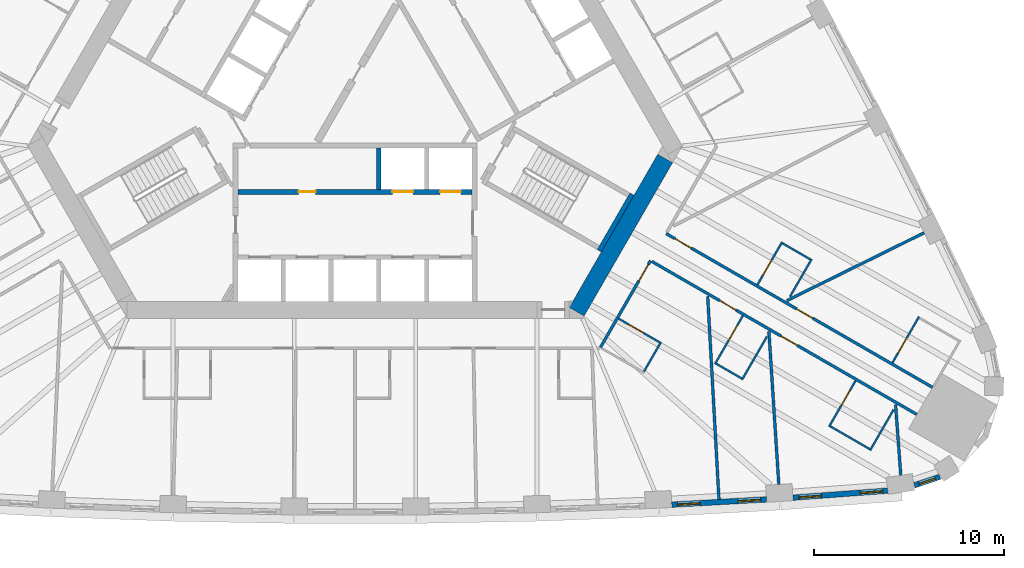
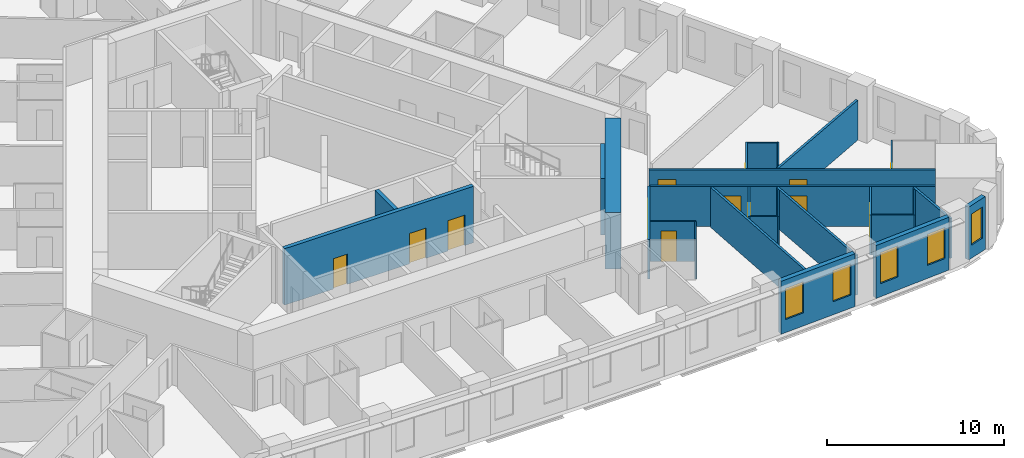
# One storey, part 7 of 13: 26 walls, 13 doors, 5 windows, 18 openings.
"""IFC4 building model written with IfcOpenShell, lengths in metres."""

from ifc_helpers import new_model, si_unit, direction, frame, frame_2d, origin, place, context, subcontext, project, spatial, rectangle, extrude, material, layer, layer_set, type_object, element, fill, save


model = new_model("IFC4")

# Units and contexts
model_context = context("Model", 3, precision=1e-05, world=origin(), true_north=direction((0.0, 1.0)))
body_context = subcontext(model_context, "Body", "Model", "MODEL_VIEW")
ifc_project = project(units=[si_unit("LENGTHUNIT", "METRE"), si_unit("AREAUNIT", "SQUARE_METRE"), si_unit("VOLUMEUNIT", "CUBIC_METRE"), si_unit("PLANEANGLEUNIT", "RADIAN"), si_unit("MASSUNIT", "GRAM", prefix="KILO")], contexts=[model_context])

# Site, building, storey
site_placement = place(None, origin())
site = spatial("IfcSite", under=ifc_project, at=site_placement, CompositionType="ELEMENT")
building_placement = place(site_placement, origin())
building = spatial("IfcBuilding", under=site, at=building_placement, Name="Mestral Congress Tower", CompositionType="ELEMENT")
storey_placement = place(building_placement, frame((0.0, 0.0, 31.5)))
storey = spatial("IfcBuildingStorey", under=building, at=storey_placement, Name="L06", CompositionType="ELEMENT", Elevation=31.5)

# Wall
ifc_material_1 = material(Name="Concrete C60/75", Category="concrete")
ifc_layer_1 = layer(ifc_material_1, 0.89990234375)
ifc_layer_set_1 = layer_set([ifc_layer_1], Name="Concrete C60/75")
wall_type_1 = type_object("IfcWallType", Name="Core wall RC 900", PredefinedType="SOLIDWALL", material=ifc_layer_set_1)
wall_1_placement = place(storey_placement, frame((11.69482421875, -12.643798828125, 0.0), z_axis=(0.0, 0.0, 1.0), x_axis=(0.500010229568, 0.86601949766, 0.0)))
element("IfcWall", 1, at=wall_1_placement, inside=storey, type_object=wall_type_1, Name="L06 core wall", PredefinedType="SOLIDWALL", context=body_context, shape_type="SweptSolid", body=[
    extrude(rectangle(XDim=9.326416015625, YDim=0.89990234375, at=frame_2d((4.6630859375, 0.0))), origin(), (0.0, 0.0, 1.0), 3.89990234375),
])

# Wall, openings, windows
ifc_material_2 = material(Name="Precast concrete C40/50 with limestone facing", Category="masonry")
ifc_layer_2 = layer(ifc_material_2, 0.2900390625)
ifc_layer_set_2 = layer_set([ifc_layer_2], Name="Precast concrete C40/50 with limestone facing")
wall_type_2 = type_object("IfcWallType", Name="Facade stone wall 290", PredefinedType="SOLIDWALL", material=ifc_layer_set_2)
wall_2_placement = place(storey_placement, frame((16.7109375, -22.823974609375, 0.0), z_axis=(0.0, 0.0, 1.0), x_axis=(0.998464708705, 0.055391564976, 0.0)))
wall_2 = element("IfcWall", 2, at=wall_2_placement, inside=storey, type_object=wall_type_2, Name="Facade wall F0-07", PredefinedType="SOLIDWALL", context=body_context, shape_type="SweptSolid", body=[
    extrude(rectangle(XDim=4.998046875, YDim=0.2900390625, at=frame_2d((2.4990234375, 0.0))), origin(), (0.0, 0.0, 1.0), 3.64990234375),
])
opening_1_placement = place(wall_2_placement, frame((0.297119140625, 0.0, 0.89990234375)))
opening_1 = element("IfcOpeningElement", 3, at=opening_1_placement, cuts=wall_2, Name="Opening W1", PredefinedType="OPENING", context=body_context, shape_type="SweptSolid", body=[
    extrude(rectangle(XDim=1.199951171875, YDim=2.14990234375, at=frame_2d((0.60009765625, 1.074951171875))), frame((0.0, 0.155029296875, 0.0), z_axis=(0.0, -1.0, 0.0), x_axis=(1.0, 0.0, 0.0)), (0.0, 0.0, 1.0), 0.31005859375),
])
opening_2_placement = place(wall_2_placement, frame((3.501220703125, 0.0, 0.89990234375)))
opening_2 = element("IfcOpeningElement", 4, at=opening_2_placement, cuts=wall_2, Name="Opening W1", PredefinedType="OPENING", context=body_context, shape_type="SweptSolid", body=[
    extrude(rectangle(XDim=1.199951171875, YDim=2.14990234375, at=frame_2d((0.60009765625, 1.074951171875))), frame((0.0, 0.155029296875, 0.0), z_axis=(0.0, -1.0, 0.0), x_axis=(1.0, 0.0, 0.0)), (0.0, 0.0, 1.0), 0.31005859375),
])
ifc_material_3 = material(Name="Clear low-emissivity double glazing", Category="glass")
window_type_1 = type_object("IfcWindowType", Name="Facade punched window 1200 x 2150 sill 900", PartitioningType="DOUBLE_PANEL_VERTICAL", PredefinedType="WINDOW", material=ifc_material_3)
window_1_placement = place(opening_1_placement, origin())
window_1 = element("IfcWindow", 5, at=window_1_placement, inside=storey, type_object=window_type_1, Name="Window F0-07a", OverallHeight=2.14990234375, OverallWidth=1.199951171875, PartitioningType="DOUBLE_PANEL_VERTICAL", PredefinedType="WINDOW", context=body_context, shape_type="SweptSolid", body=[
    extrude(rectangle(XDim=1.199951171875, YDim=2.14990234375, at=frame_2d((0.60009765625, 1.074951171875))), frame((0.0, 0.01513671875, 0.0), z_axis=(0.0, -1.0, 0.0), x_axis=(1.0, 0.0, 0.0)), (0.0, 0.0, 1.0), 0.06005859375),
])
fill(opening_1, window_1)
window_2_placement = place(opening_2_placement, origin())
window_2 = element("IfcWindow", 6, at=window_2_placement, inside=storey, type_object=window_type_1, Name="Window F0-07b", OverallHeight=2.14990234375, OverallWidth=1.199951171875, PartitioningType="DOUBLE_PANEL_VERTICAL", PredefinedType="WINDOW", context=body_context, shape_type="SweptSolid", body=[
    extrude(rectangle(XDim=1.199951171875, YDim=2.14990234375, at=frame_2d((0.60009765625, 1.074951171875))), frame((0.0, 0.01513671875, 0.0), z_axis=(0.0, -1.0, 0.0), x_axis=(1.0, 0.0, 0.0)), (0.0, 0.0, 1.0), 0.06005859375),
])
fill(opening_2, window_2)

wall_3_placement = place(storey_placement, frame((23.10595703125, -22.4560546875, 0.0), z_axis=(0.0, 0.0, 1.0), x_axis=(0.997266290399, 0.073891447643, 0.0)))
wall_3 = element("IfcWall", 7, at=wall_3_placement, inside=storey, type_object=wall_type_2, Name="Facade wall F0-08", PredefinedType="SOLIDWALL", context=body_context, shape_type="SweptSolid", body=[
    extrude(rectangle(XDim=5.005615234375, YDim=0.2900390625, at=frame_2d((2.5029296875, 0.0))), origin(), (0.0, 0.0, 1.0), 3.64990234375),
])
opening_3_placement = place(wall_3_placement, frame((0.31005859375, 0.0, 0.89990234375)))
opening_3 = element("IfcOpeningElement", 8, at=opening_3_placement, cuts=wall_3, Name="Opening W1", PredefinedType="OPENING", context=body_context, shape_type="SweptSolid", body=[
    extrude(rectangle(XDim=1.199951171875, YDim=2.14990234375, at=frame_2d((0.60009765625, 1.074951171875))), frame((0.0, 0.155029296875, 0.0), z_axis=(0.0, -1.0, 0.0), x_axis=(1.0, 0.0, 0.0)), (0.0, 0.0, 1.0), 0.31005859375),
])
opening_4_placement = place(wall_3_placement, frame((3.540283203125, 0.0, 0.89990234375)))
opening_4 = element("IfcOpeningElement", 9, at=opening_4_placement, cuts=wall_3, Name="Opening W1", PredefinedType="OPENING", context=body_context, shape_type="SweptSolid", body=[
    extrude(rectangle(XDim=1.199951171875, YDim=2.14990234375, at=frame_2d((0.60009765625, 1.074951171875))), frame((0.0, 0.155029296875, 0.0), z_axis=(0.0, -1.0, 0.0), x_axis=(1.0, 0.0, 0.0)), (0.0, 0.0, 1.0), 0.31005859375),
])
window_3_placement = place(opening_3_placement, origin())
window_3 = element("IfcWindow", 10, at=window_3_placement, inside=storey, type_object=window_type_1, Name="Window F0-08a", OverallHeight=2.14990234375, OverallWidth=1.199951171875, PartitioningType="DOUBLE_PANEL_VERTICAL", PredefinedType="WINDOW", context=body_context, shape_type="SweptSolid", body=[
    extrude(rectangle(XDim=1.199951171875, YDim=2.14990234375, at=frame_2d((0.60009765625, 1.074951171875))), frame((0.0, 0.01513671875, 0.0), z_axis=(0.0, -1.0, 0.0), x_axis=(1.0, 0.0, 0.0)), (0.0, 0.0, 1.0), 0.06005859375),
])
fill(opening_3, window_3)
window_4_placement = place(opening_4_placement, origin())
window_4 = element("IfcWindow", 11, at=window_4_placement, inside=storey, type_object=window_type_1, Name="Window F0-08b", OverallHeight=2.14990234375, OverallWidth=1.199951171875, PartitioningType="DOUBLE_PANEL_VERTICAL", PredefinedType="WINDOW", context=body_context, shape_type="SweptSolid", body=[
    extrude(rectangle(XDim=1.199951171875, YDim=2.14990234375, at=frame_2d((0.60009765625, 1.074951171875))), frame((0.0, 0.01513671875, 0.0), z_axis=(0.0, -1.0, 0.0), x_axis=(1.0, 0.0, 0.0)), (0.0, 0.0, 1.0), 0.06005859375),
])
fill(opening_4, window_4)

# Wall, opening, window
wall_4_placement = place(storey_placement, frame((29.51171875, -21.80224609375, 0.0), z_axis=(0.0, 0.0, 1.0), x_axis=(0.947903891592, 0.318556450734, 0.0)))
wall_4 = element("IfcWall", 12, at=wall_4_placement, inside=storey, type_object=wall_type_2, Name="Facade wall K0-0", PredefinedType="SOLIDWALL", context=body_context, shape_type="SweptSolid", body=[
    extrude(rectangle(XDim=1.414794921875, YDim=0.2900390625, at=frame_2d((0.70751953125, 0.0))), origin(), (0.0, 0.0, 1.0), 3.64990234375),
])
opening_5_placement = place(wall_4_placement, frame((0.25732421875, 0.0, 0.89990234375)))
opening_5 = element("IfcOpeningElement", 13, at=opening_5_placement, cuts=wall_4, Name="Opening W3", PredefinedType="OPENING", context=body_context, shape_type="SweptSolid", body=[
    extrude(rectangle(XDim=0.89990234375, YDim=2.14990234375, at=frame_2d((0.449951171875, 1.074951171875))), frame((0.0, 0.155029296875, 0.0), z_axis=(0.0, -1.0, 0.0), x_axis=(1.0, 0.0, 0.0)), (0.0, 0.0, 1.0), 0.31005859375),
])
window_type_2 = type_object("IfcWindowType", Name="Facade punched window 900 x 2150 sill 900", PartitioningType="SINGLE_PANEL", PredefinedType="WINDOW", material=ifc_material_3)
window_5_placement = place(opening_5_placement, origin())
window_5 = element("IfcWindow", 14, at=window_5_placement, inside=storey, type_object=window_type_2, Name="Window K0-0", OverallHeight=2.14990234375, OverallWidth=0.89990234375, PartitioningType="SINGLE_PANEL", PredefinedType="WINDOW", context=body_context, shape_type="SweptSolid", body=[
    extrude(rectangle(XDim=0.89990234375, YDim=2.14990234375, at=frame_2d((0.449951171875, 1.074951171875))), frame((0.0, 0.01513671875, 0.0), z_axis=(0.0, -1.0, 0.0), x_axis=(1.0, 0.0, 0.0)), (0.0, 0.0, 1.0), 0.06005859375),
])
fill(opening_5, window_5)

# Wall, opening, door
ifc_material_4 = material(Name="Gypsum board partition on metal studs with mineral wool", Category="composite")
ifc_layer_3 = layer(ifc_material_4, 0.10009765625)
ifc_layer_set_3 = layer_set([ifc_layer_3], Name="Gypsum board partition on metal studs with mineral wool")
wall_type_3 = type_object("IfcWallType", Name="Hotel partition wall 100", PredefinedType="PARTITIONING", material=ifc_layer_set_3)
wall_5_placement = place(storey_placement, frame((16.159912109375, -14.310302734375, 0.0), z_axis=(0.0, 0.0, 1.0), x_axis=(-0.866062058628, 0.499936506574, 0.0)))
wall_5 = element("IfcWall", 15, at=wall_5_placement, inside=storey, type_object=wall_type_3, Name="L06-h-pod08a", PredefinedType="PARTITIONING", context=body_context, shape_type="SweptSolid", body=[
    extrude(rectangle(XDim=2.599853515625, YDim=0.10009765625, at=frame_2d((1.2998046875, 0.0))), origin(), (0.0, 0.0, 1.0), 2.75),
])
opening_6_placement = place(wall_5_placement, frame((1.10009765625, 0.0, 0.0)))
opening_6 = element("IfcOpeningElement", 16, at=opening_6_placement, cuts=wall_5, Name="Opening H01-015", PredefinedType="OPENING", context=body_context, shape_type="SweptSolid", body=[
    extrude(rectangle(XDim=0.89990234375, YDim=2.10009765625, at=frame_2d((0.449951171875, 1.050048828125))), frame((0.0, 0.06005859375, 0.0), z_axis=(0.0, -1.0, 0.0), x_axis=(1.0, 0.0, 0.0)), (0.0, 0.0, 1.0), 0.1201171875),
])
ifc_material_5 = material(Name="Timber veneer door leaf in timber frame", Category="wood")
door_type_1 = type_object("IfcDoorType", Name="Bathroom door 900", OperationType="SINGLE_SWING_LEFT", PredefinedType="DOOR", material=ifc_material_5)
door_1_placement = place(opening_6_placement, origin())
door_1 = element("IfcDoor", 17, at=door_1_placement, inside=storey, type_object=door_type_1, Name="L06-h-d015", OperationType="SINGLE_SWING_LEFT", OverallHeight=2.10009765625, OverallWidth=0.89990234375, PredefinedType="DOOR", context=body_context, shape_type="SweptSolid", body=[
    extrude(rectangle(XDim=0.89990234375, YDim=2.10009765625, at=frame_2d((0.449951171875, 1.050048828125))), frame((0.0, 0.02490234375, 0.0), z_axis=(0.0, -1.0, 0.0), x_axis=(1.0, 0.0, 0.0)), (0.0, 0.0, 1.0), 0.050048828125),
])
fill(opening_6, door_1)

# Wall
wall_6_placement = place(storey_placement, frame((16.091552734375, -14.32861328125, 0.0), z_axis=(0.0, 0.0, 1.0), x_axis=(-0.500062241894, -0.865989465428, 0.0)))
element("IfcWall", 18, at=wall_6_placement, inside=storey, type_object=wall_type_3, Name="L06-h-pod08b", PredefinedType="PARTITIONING", context=body_context, shape_type="SweptSolid", body=[
    extrude(rectangle(XDim=1.699951171875, YDim=0.10009765625, at=frame_2d((0.85009765625, 0.0))), origin(), (0.0, 0.0, 1.0), 2.75),
])

# Wall, opening, door
wall_7_placement = place(storey_placement, frame((20.4609375, -12.852294921875, 0.0), z_axis=(0.0, 0.0, 1.0), x_axis=(-0.49997559174, -0.866039495442, 0.0)))
wall_7 = element("IfcWall", 19, at=wall_7_placement, inside=storey, type_object=wall_type_3, Name="L06-h-pod09a", PredefinedType="PARTITIONING", context=body_context, shape_type="SweptSolid", body=[
    extrude(rectangle(XDim=2.949951171875, YDim=0.10009765625, at=frame_2d((1.47509765625, 0.0))), origin(), (0.0, 0.0, 1.0), 2.75),
])
opening_7_placement = place(wall_7_placement, frame((0.60009765625, 0.0, 0.0)))
opening_7 = element("IfcOpeningElement", 20, at=opening_7_placement, cuts=wall_7, Name="Opening H01-017", PredefinedType="OPENING", context=body_context, shape_type="SweptSolid", body=[
    extrude(rectangle(XDim=0.89990234375, YDim=2.10009765625, at=frame_2d((0.449951171875, 1.050048828125))), frame((0.0, 0.06005859375, 0.0), z_axis=(0.0, -1.0, 0.0), x_axis=(1.0, 0.0, 0.0)), (0.0, 0.0, 1.0), 0.1201171875),
])
door_2_placement = place(opening_7_placement, origin())
door_2 = element("IfcDoor", 21, at=door_2_placement, inside=storey, type_object=door_type_1, Name="L06-h-d017", OperationType="SINGLE_SWING_RIGHT", OverallHeight=2.10009765625, OverallWidth=0.89990234375, PredefinedType="DOOR", context=body_context, shape_type="SweptSolid", body=[
    extrude(rectangle(XDim=0.89990234375, YDim=2.10009765625, at=frame_2d((0.449951171875, 1.050048828125))), frame((0.0, 0.02490234375, 0.0), z_axis=(0.0, -1.0, 0.0), x_axis=(1.0, 0.0, 0.0)), (0.0, 0.0, 1.0), 0.050048828125),
])
fill(opening_7, door_2)

# Walls
wall_8_placement = place(storey_placement, frame((19.05419921875, -15.388916015625, 0.0), z_axis=(0.0, 0.0, 1.0), x_axis=(0.866043940782, -0.499967891604, 0.0)))
element("IfcWall", 22, at=wall_8_placement, inside=storey, type_object=wall_type_3, Name="L06-h-pod09b", PredefinedType="PARTITIONING", context=body_context, shape_type="SweptSolid", body=[
    extrude(rectangle(XDim=1.5498046875, YDim=0.10009765625, at=frame_2d((0.77490234375, 0.0))), origin(), (0.0, 0.0, 1.0), 2.75),
])
wall_9_placement = place(storey_placement, frame((21.73486328125, -13.94580078125, 0.0), z_axis=(0.0, 0.0, 1.0), x_axis=(-0.500007957085, -0.86602080971, 0.0)))
element("IfcWall", 23, at=wall_9_placement, inside=storey, type_object=wall_type_3, Name="L06-h-pod09c", PredefinedType="PARTITIONING", context=body_context, shape_type="SweptSolid", body=[
    extrude(rectangle(XDim=2.64013671875, YDim=0.10009765625, at=frame_2d((1.320068359375, 0.0))), origin(), (0.0, 0.0, 1.0), 2.75),
])

# Wall, opening, door
wall_10_placement = place(storey_placement, frame((26.40478515625, -16.2841796875, 0.0), z_axis=(0.0, 0.0, 1.0), x_axis=(-0.49998411664, -0.866034573852, 0.0)))
wall_10 = element("IfcWall", 24, at=wall_10_placement, inside=storey, type_object=wall_type_3, Name="L06-h-pod10a", PredefinedType="PARTITIONING", context=body_context, shape_type="SweptSolid", body=[
    extrude(rectangle(XDim=2.7998046875, YDim=0.10009765625, at=frame_2d((1.39990234375, 0.0))), origin(), (0.0, 0.0, 1.0), 2.75),
])
opening_8_placement = place(wall_10_placement, frame((0.60009765625, 0.0, 0.0)))
opening_8 = element("IfcOpeningElement", 25, at=opening_8_placement, cuts=wall_10, Name="Opening H01-019", PredefinedType="OPENING", context=body_context, shape_type="SweptSolid", body=[
    extrude(rectangle(XDim=0.89990234375, YDim=2.10009765625, at=frame_2d((0.449951171875, 1.050048828125))), frame((0.0, 0.06005859375, 0.0), z_axis=(0.0, -1.0, 0.0), x_axis=(1.0, 0.0, 0.0)), (0.0, 0.0, 1.0), 0.1201171875),
])
door_3_placement = place(opening_8_placement, origin())
door_3 = element("IfcDoor", 26, at=door_3_placement, inside=storey, type_object=door_type_1, Name="L06-h-d019", OperationType="SINGLE_SWING_LEFT", OverallHeight=2.10009765625, OverallWidth=0.89990234375, PredefinedType="DOOR", context=body_context, shape_type="SweptSolid", body=[
    extrude(rectangle(XDim=0.89990234375, YDim=2.10009765625, at=frame_2d((0.449951171875, 1.050048828125))), frame((0.0, 0.02490234375, 0.0), z_axis=(0.0, -1.0, 0.0), x_axis=(1.0, 0.0, 0.0)), (0.0, 0.0, 1.0), 0.050048828125),
])
fill(opening_8, door_3)

# Walls
wall_11_placement = place(storey_placement, frame((25.0732421875, -18.690673828125, 0.0), z_axis=(0.0, 0.0, 1.0), x_axis=(0.866024647952, -0.500001309137, 0.0)))
element("IfcWall", 27, at=wall_11_placement, inside=storey, type_object=wall_type_3, Name="L06-h-pod10b", PredefinedType="PARTITIONING", context=body_context, shape_type="SweptSolid", body=[
    extrude(rectangle(XDim=2.39990234375, YDim=0.10009765625, at=frame_2d((1.199951171875, 0.0))), origin(), (0.0, 0.0, 1.0), 2.75),
])
wall_12_placement = place(storey_placement, frame((28.414794921875, -17.802490234375, 0.0), z_axis=(0.0, 0.0, 1.0), x_axis=(-0.499945955465, -0.866056604163, 0.0)))
element("IfcWall", 28, at=wall_12_placement, inside=storey, type_object=wall_type_3, Name="L06-h-pod10c", PredefinedType="PARTITIONING", context=body_context, shape_type="SweptSolid", body=[
    extrude(rectangle(XDim=2.489990234375, YDim=0.10009765625, at=frame_2d((1.2451171875, 0.0))), origin(), (0.0, 0.0, 1.0), 2.75),
])

# Wall, opening, door
wall_13_placement = place(storey_placement, frame((29.75244140625, -12.9052734375, 0.0), z_axis=(0.0, 0.0, 1.0), x_axis=(-0.500049511043, -0.865996816683, 0.0)))
wall_13 = element("IfcWall", 29, at=wall_13_placement, inside=storey, type_object=wall_type_3, Name="L06-h-pod11a", PredefinedType="PARTITIONING", context=body_context, shape_type="SweptSolid", body=[
    extrude(rectangle(XDim=2.800048828125, YDim=0.10009765625, at=frame_2d((1.39990234375, 0.0))), origin(), (0.0, 0.0, 1.0), 2.75),
])
opening_9_placement = place(wall_13_placement, frame((1.300048828125, 0.0, 0.0)))
opening_9 = element("IfcOpeningElement", 30, at=opening_9_placement, cuts=wall_13, Name="Opening H01-021", PredefinedType="OPENING", context=body_context, shape_type="SweptSolid", body=[
    extrude(rectangle(XDim=0.89990234375, YDim=2.10009765625, at=frame_2d((0.449951171875, 1.050048828125))), frame((0.0, 0.06005859375, 0.0), z_axis=(0.0, -1.0, 0.0), x_axis=(1.0, 0.0, 0.0)), (0.0, 0.0, 1.0), 0.1201171875),
])
door_4_placement = place(opening_9_placement, origin())
door_4 = element("IfcDoor", 31, at=door_4_placement, inside=storey, type_object=door_type_1, Name="L06-h-d021", OperationType="SINGLE_SWING_LEFT", OverallHeight=2.10009765625, OverallWidth=0.89990234375, PredefinedType="DOOR", context=body_context, shape_type="SweptSolid", body=[
    extrude(rectangle(XDim=0.89990234375, YDim=2.10009765625, at=frame_2d((0.449951171875, 1.050048828125))), frame((0.0, 0.02490234375, 0.0), z_axis=(0.0, -1.0, 0.0), x_axis=(1.0, 0.0, 0.0)), (0.0, 0.0, 1.0), 0.050048828125),
])
fill(opening_9, door_4)

wall_14_placement = place(storey_placement, frame((22.5302734375, -8.96630859375, 0.0), z_axis=(0.0, 0.0, 1.0), x_axis=(-0.500006934395, -0.866021400173, 0.0)))
wall_14 = element("IfcWall", 32, at=wall_14_placement, inside=storey, type_object=wall_type_3, Name="L06-h-pod12a", PredefinedType="PARTITIONING", context=body_context, shape_type="SweptSolid", body=[
    extrude(rectangle(XDim=2.60009765625, YDim=0.10009765625, at=frame_2d((1.300048828125, 0.0))), origin(), (0.0, 0.0, 1.0), 2.75),
])
opening_10_placement = place(wall_14_placement, frame((1.10009765625, 0.0, 0.0)))
opening_10 = element("IfcOpeningElement", 33, at=opening_10_placement, cuts=wall_14, Name="Opening H01-023", PredefinedType="OPENING", context=body_context, shape_type="SweptSolid", body=[
    extrude(rectangle(XDim=0.89990234375, YDim=2.10009765625, at=frame_2d((0.449951171875, 1.050048828125))), frame((0.0, 0.06005859375, 0.0), z_axis=(0.0, -1.0, 0.0), x_axis=(1.0, 0.0, 0.0)), (0.0, 0.0, 1.0), 0.1201171875),
])
door_5_placement = place(opening_10_placement, origin())
door_5 = element("IfcDoor", 34, at=door_5_placement, inside=storey, type_object=door_type_1, Name="L06-h-d023", OperationType="SINGLE_SWING_RIGHT", OverallHeight=2.10009765625, OverallWidth=0.89990234375, PredefinedType="DOOR", context=body_context, shape_type="SweptSolid", body=[
    extrude(rectangle(XDim=0.89990234375, YDim=2.10009765625, at=frame_2d((0.449951171875, 1.050048828125))), frame((0.0, 0.02490234375, 0.0), z_axis=(0.0, -1.0, 0.0), x_axis=(1.0, 0.0, 0.0)), (0.0, 0.0, 1.0), 0.050048828125),
])
fill(opening_10, door_5)

# Walls
wall_15_placement = place(storey_placement, frame((22.548583984375, -9.03466796875, 0.0), z_axis=(0.0, 0.0, 1.0), x_axis=(0.86605165483, -0.499954529098, 0.0)))
element("IfcWall", 35, at=wall_15_placement, inside=storey, type_object=wall_type_3, Name="L06-h-pod12b", PredefinedType="PARTITIONING", context=body_context, shape_type="SweptSolid", body=[
    extrude(rectangle(XDim=1.699951171875, YDim=0.10009765625, at=frame_2d((0.85009765625, 0.0))), origin(), (0.0, 0.0, 1.0), 2.75),
])
wall_16_placement = place(storey_placement, frame((22.944091796875, -11.849609375, 0.0), z_axis=(0.0, 0.0, 1.0), x_axis=(0.499968531483, 0.866043571379, 0.0)))
element("IfcWall", 36, at=wall_16_placement, inside=storey, type_object=wall_type_3, Name="L06-h-pod12c", PredefinedType="PARTITIONING", context=body_context, shape_type="SweptSolid", body=[
    extrude(rectangle(XDim=2.290283203125, YDim=0.10009765625, at=frame_2d((1.14501953125, 0.0))), origin(), (0.0, 0.0, 1.0), 2.75),
])

# Wall, openings, doors
ifc_layer_4 = layer(ifc_material_4, 0.14990234375)
ifc_layer_set_4 = layer_set([ifc_layer_4], Name="Gypsum board partition on metal studs with mineral wool")
wall_type_4 = type_object("IfcWallType", Name="Hotel partition wall 150", PredefinedType="PARTITIONING", material=ifc_layer_set_4)
wall_17_placement = place(storey_placement, frame((16.412353515625, -8.52294921875, 0.0), z_axis=(0.0, 0.0, 1.0), x_axis=(0.866022197818, -0.500005552856, 0.0)))
wall_17 = element("IfcWall", 37, at=wall_17_placement, inside=storey, type_object=wall_type_4, Name="L06-h-cw01", PredefinedType="PARTITIONING", context=body_context, shape_type="SweptSolid", body=[
    extrude(rectangle(XDim=16.223876953125, YDim=0.14990234375, at=frame_2d((8.11181640625, 0.0))), origin(), (0.0, 0.0, 1.0), 2.75),
])
opening_11_placement = place(wall_17_placement, frame((7.94921875, 0.0, 0.0)))
opening_11 = element("IfcOpeningElement", 38, at=opening_11_placement, cuts=wall_17, Name="Opening H01-020", PredefinedType="OPENING", context=body_context, shape_type="SweptSolid", body=[
    extrude(rectangle(XDim=1.0, YDim=2.10009765625, at=frame_2d((0.5, 1.050048828125))), frame((0.0, 0.0849609375, 0.0), z_axis=(0.0, -1.0, 0.0), x_axis=(1.0, 0.0, 0.0)), (0.0, 0.0, 1.0), 0.169921875),
])
opening_12_placement = place(wall_17_placement, frame((0.526123046875, 0.0, 0.0)))
opening_12 = element("IfcOpeningElement", 39, at=opening_12_placement, cuts=wall_17, Name="Opening H01-022", PredefinedType="OPENING", context=body_context, shape_type="SweptSolid", body=[
    extrude(rectangle(XDim=1.0, YDim=2.10009765625, at=frame_2d((0.5, 1.050048828125))), frame((0.0, 0.0849609375, 0.0), z_axis=(0.0, -1.0, 0.0), x_axis=(1.0, 0.0, 0.0)), (0.0, 0.0, 1.0), 0.169921875),
])
ifc_material_6 = material(Name="Timber veneer door leaf in metal frame", Category="wood")
door_type_2 = type_object("IfcDoorType", Name="Guest room entrance door 1000", OperationType="SINGLE_SWING_LEFT", PredefinedType="DOOR", material=ifc_material_6)
door_6_placement = place(opening_11_placement, origin())
door_6 = element("IfcDoor", 40, at=door_6_placement, inside=storey, type_object=door_type_2, Name="L06-h-d020", OperationType="SINGLE_SWING_LEFT", OverallHeight=2.10009765625, OverallWidth=1.0, PredefinedType="DOOR", context=body_context, shape_type="SweptSolid", body=[
    extrude(rectangle(XDim=1.0, YDim=2.10009765625, at=frame_2d((0.5, 1.050048828125))), frame((0.0, 0.02490234375, 0.0), z_axis=(0.0, -1.0, 0.0), x_axis=(1.0, 0.0, 0.0)), (0.0, 0.0, 1.0), 0.050048828125),
])
fill(opening_11, door_6)
door_7_placement = place(opening_12_placement, origin())
door_7 = element("IfcDoor", 41, at=door_7_placement, inside=storey, type_object=door_type_2, Name="L06-h-d022", OperationType="SINGLE_SWING_LEFT", OverallHeight=2.10009765625, OverallWidth=1.0, PredefinedType="DOOR", context=body_context, shape_type="SweptSolid", body=[
    extrude(rectangle(XDim=1.0, YDim=2.10009765625, at=frame_2d((0.5, 1.050048828125))), frame((0.0, 0.02490234375, 0.0), z_axis=(0.0, -1.0, 0.0), x_axis=(1.0, 0.0, 0.0)), (0.0, 0.0, 1.0), 0.050048828125),
])
fill(opening_12, door_7)

# Wall, opening, door
wall_18_placement = place(storey_placement, frame((15.58740234375, -9.951904296875, 0.0), z_axis=(0.0, 0.0, 1.0), x_axis=(-0.500016618951, -0.866015808616, 0.0)))
wall_18 = element("IfcWall", 42, at=wall_18_placement, inside=storey, type_object=wall_type_4, Name="L06-h-cw14", PredefinedType="PARTITIONING", context=body_context, shape_type="SweptSolid", body=[
    extrude(rectangle(XDim=5.268310546875, YDim=0.14990234375, at=frame_2d((2.63427734375, 0.0))), origin(), (0.0, 0.0, 1.0), 2.75),
])
opening_13_placement = place(wall_18_placement, frame((0.225341796875, 0.0, 0.0)))
opening_13 = element("IfcOpeningElement", 43, at=opening_13_placement, cuts=wall_18, Name="Opening H01-014", PredefinedType="OPENING", context=body_context, shape_type="SweptSolid", body=[
    extrude(rectangle(XDim=1.0, YDim=2.10009765625, at=frame_2d((0.5, 1.050048828125))), frame((0.0, 0.0849609375, 0.0), z_axis=(0.0, -1.0, 0.0), x_axis=(1.0, 0.0, 0.0)), (0.0, 0.0, 1.0), 0.169921875),
])
door_8_placement = place(opening_13_placement, origin())
door_8 = element("IfcDoor", 44, at=door_8_placement, inside=storey, type_object=door_type_2, Name="L06-h-d014", OperationType="SINGLE_SWING_LEFT", OverallHeight=2.10009765625, OverallWidth=1.0, PredefinedType="DOOR", context=body_context, shape_type="SweptSolid", body=[
    extrude(rectangle(XDim=1.0, YDim=2.10009765625, at=frame_2d((0.5, 1.050048828125))), frame((0.0, 0.02490234375, 0.0), z_axis=(0.0, -1.0, 0.0), x_axis=(1.0, 0.0, 0.0)), (0.0, 0.0, 1.0), 0.050048828125),
])
fill(opening_13, door_8)

# Wall, openings, doors
wall_19_placement = place(storey_placement, frame((29.6376953125, -18.06396484375, 0.0), z_axis=(0.0, 0.0, 1.0), x_axis=(-0.866026175601, 0.499998663172, 0.0)))
wall_19 = element("IfcWall", 45, at=wall_19_placement, inside=storey, type_object=wall_type_4, Name="L06-h-cw15", PredefinedType="PARTITIONING", context=body_context, shape_type="SweptSolid", body=[
    extrude(rectangle(XDim=16.14404296875, YDim=0.14990234375, at=frame_2d((8.072021484375, 0.0))), origin(), (0.0, 0.0, 1.0), 2.75),
])
opening_14_placement = place(wall_19_placement, frame((11.003662109375, 0.0, 0.0)))
opening_14 = element("IfcOpeningElement", 46, at=opening_14_placement, cuts=wall_19, Name="Opening H01-016", PredefinedType="OPENING", context=body_context, shape_type="SweptSolid", body=[
    extrude(rectangle(XDim=1.0, YDim=2.10009765625, at=frame_2d((0.5, 1.050048828125))), frame((0.0, 0.0849609375, 0.0), z_axis=(0.0, -1.0, 0.0), x_axis=(1.0, 0.0, 0.0)), (0.0, 0.0, 1.0), 0.169921875),
])
opening_15_placement = place(wall_19_placement, frame((7.275146484375, 0.0, 0.0)))
opening_15 = element("IfcOpeningElement", 47, at=opening_15_placement, cuts=wall_19, Name="Opening H01-018", PredefinedType="OPENING", context=body_context, shape_type="SweptSolid", body=[
    extrude(rectangle(XDim=1.0, YDim=2.10009765625, at=frame_2d((0.5, 1.050048828125))), frame((0.0, 0.0849609375, 0.0), z_axis=(0.0, -1.0, 0.0), x_axis=(1.0, 0.0, 0.0)), (0.0, 0.0, 1.0), 0.169921875),
])
door_9_placement = place(opening_14_placement, origin())
door_9 = element("IfcDoor", 48, at=door_9_placement, inside=storey, type_object=door_type_2, Name="L06-h-d016", OperationType="SINGLE_SWING_RIGHT", OverallHeight=2.10009765625, OverallWidth=1.0, PredefinedType="DOOR", context=body_context, shape_type="SweptSolid", body=[
    extrude(rectangle(XDim=1.0, YDim=2.10009765625, at=frame_2d((0.5, 1.050048828125))), frame((0.0, 0.02490234375, 0.0), z_axis=(0.0, -1.0, 0.0), x_axis=(1.0, 0.0, 0.0)), (0.0, 0.0, 1.0), 0.050048828125),
])
fill(opening_14, door_9)
door_10_placement = place(opening_15_placement, origin())
door_10 = element("IfcDoor", 49, at=door_10_placement, inside=storey, type_object=door_type_2, Name="L06-h-d018", OperationType="SINGLE_SWING_RIGHT", OverallHeight=2.10009765625, OverallWidth=1.0, PredefinedType="DOOR", context=body_context, shape_type="SweptSolid", body=[
    extrude(rectangle(XDim=1.0, YDim=2.10009765625, at=frame_2d((0.5, 1.050048828125))), frame((0.0, 0.02490234375, 0.0), z_axis=(0.0, -1.0, 0.0), x_axis=(1.0, 0.0, 0.0)), (0.0, 0.0, 1.0), 0.050048828125),
])
fill(opening_15, door_10)

# Walls
wall_20_placement = place(storey_placement, frame((19.1982421875, -22.540771484375, 0.0), z_axis=(0.0, 0.0, 1.0), x_axis=(-0.055432210572, 0.99846245299, 0.0)))
element("IfcWall", 50, at=wall_20_placement, inside=storey, type_object=wall_type_4, Name="L06-h-pw27", PredefinedType="PARTITIONING", context=body_context, shape_type="SweptSolid", body=[
    extrude(rectangle(XDim=10.72900390625, YDim=0.14990234375, at=frame_2d((5.364501953125, 0.0))), origin(), (0.0, 0.0, 1.0), 2.75),
])
for number, where, z_axis, x_axis, name in (
    (51, (22.355224609375, -21.75439453125, 0.0), (0.0, 0.0, 1.0), (-0.064639533143, 0.997908678565, 0.0), "L06-h-pw28"),
    (52, (30.017578125, -8.48291015625, 0.0), (0.0, 0.0, 1.0), (-0.896544505264, -0.44295366584, 0.0), "L06-h-pw29"),
):
    element("IfcWall", number, at=place(storey_placement, frame(where, z_axis=z_axis, x_axis=x_axis)), inside=storey, type_object=wall_type_4, Name=name, PredefinedType="PARTITIONING", context=body_context, shape_type="SweptSolid", body=[
        extrude(rectangle(XDim=8.078857421875, YDim=0.14990234375, at=frame_2d((4.03955078125, 0.0))), origin(), (0.0, 0.0, 1.0), 2.75),
    ])
wall_21_placement = place(storey_placement, frame((28.78955078125, -21.272705078125, 0.0), z_axis=(0.0, 0.0, 1.0), x_axis=(-0.07382592098, 0.997271143366, 0.0)))
element("IfcWall", 53, at=wall_21_placement, inside=storey, type_object=wall_type_4, Name="L06-h-pw30", PredefinedType="PARTITIONING", context=body_context, shape_type="SweptSolid", body=[
    extrude(rectangle(XDim=3.733642578125, YDim=0.14990234375, at=frame_2d((1.86669921875, 0.0))), origin(), (0.0, 0.0, 1.0), 2.75),
])
ifc_layer_5 = layer(ifc_material_1, 0.25)
ifc_layer_set_5 = layer_set([ifc_layer_5], Name="Concrete C60/75")
wall_type_5 = type_object("IfcWallType", Name="Shaft wall RC 250", PredefinedType="SOLIDWALL", material=ifc_layer_set_5)
wall_22_placement = place(storey_placement, frame((1.260009765625, -4.0, 0.0), z_axis=(0.0, 0.0, 1.0), x_axis=(0.0, -1.0, 0.0)))
element("IfcWall", 54, at=wall_22_placement, inside=storey, type_object=wall_type_5, Name="L06 core wall", PredefinedType="SOLIDWALL", context=body_context, shape_type="SweptSolid", body=[
    extrude(rectangle(XDim=2.199951171875, YDim=0.25, at=frame_2d((1.10009765625, 0.0))), origin(), (0.0, 0.0, 1.0), 3.89990234375),
])

# Wall, openings, doors
wall_23_placement = place(storey_placement, frame((-6.175048828125, -6.324951171875, 0.0), z_axis=(0.0, 0.0, 1.0), x_axis=(1.0, 0.0, 0.0)))
wall_23 = element("IfcWall", 55, at=wall_23_placement, inside=storey, type_object=wall_type_5, Name="L06 door wall", PredefinedType="SOLIDWALL", context=body_context, shape_type="SweptSolid", body=[
    extrude(rectangle(XDim=12.35009765625, YDim=0.25, at=frame_2d((6.175048828125, 0.0))), origin(), (0.0, 0.0, 1.0), 3.89990234375),
])
opening_16_placement = place(wall_23_placement, frame((3.205078125, 0.0, 0.0)))
opening_16 = element("IfcOpeningElement", 56, at=opening_16_placement, cuts=wall_23, Name="Opening SR-SOB1", PredefinedType="OPENING", context=body_context, shape_type="SweptSolid", body=[
    extrude(rectangle(XDim=0.89990234375, YDim=2.10009765625, at=frame_2d((0.449951171875, 1.050048828125))), frame((0.0, 0.135009765625, 0.0), z_axis=(0.0, -1.0, 0.0), x_axis=(1.0, 0.0, 0.0)), (0.0, 0.0, 1.0), 0.27001953125),
])
opening_17_placement = place(wall_23_placement, frame((8.14501953125, 0.0, 0.0)))
opening_17 = element("IfcOpeningElement", 57, at=opening_17_placement, cuts=wall_23, Name="Opening LD-SOB4", PredefinedType="OPENING", context=body_context, shape_type="SweptSolid", body=[
    extrude(rectangle(XDim=1.10009765625, YDim=2.10009765625, at=frame_2d((0.550048828125, 1.050048828125))), frame((0.0, 0.135009765625, 0.0), z_axis=(0.0, -1.0, 0.0), x_axis=(1.0, 0.0, 0.0)), (0.0, 0.0, 1.0), 0.27001953125),
])
opening_18_placement = place(wall_23_placement, frame((10.6650390625, 0.0, 0.0)))
opening_18 = element("IfcOpeningElement", 58, at=opening_18_placement, cuts=wall_23, Name="Opening LD-SOB5", PredefinedType="OPENING", context=body_context, shape_type="SweptSolid", body=[
    extrude(rectangle(XDim=1.10009765625, YDim=2.10009765625, at=frame_2d((0.550048828125, 1.050048828125))), frame((0.0, 0.135009765625, 0.0), z_axis=(0.0, -1.0, 0.0), x_axis=(1.0, 0.0, 0.0)), (0.0, 0.0, 1.0), 0.27001953125),
])
ifc_material_7 = material(Name="Fire-rated steel door set", Category="steel")
door_type_3 = type_object("IfcDoorType", Name="Core door LD 1100x2100", OperationType="DOUBLE_DOOR_SLIDING", PredefinedType="DOOR", material=ifc_material_7)
door_11_placement = place(opening_17_placement, origin())
door_11 = element("IfcDoor", 59, at=door_11_placement, inside=storey, type_object=door_type_3, Name="Door LD-SOB4", OperationType="DOUBLE_DOOR_SLIDING", OverallHeight=2.10009765625, OverallWidth=1.10009765625, PredefinedType="DOOR", context=body_context, shape_type="SweptSolid", body=[
    extrude(rectangle(XDim=1.10009765625, YDim=2.10009765625, at=frame_2d((0.550048828125, 1.050048828125))), frame((0.0, 0.02490234375, 0.0), z_axis=(0.0, -1.0, 0.0), x_axis=(1.0, 0.0, 0.0)), (0.0, 0.0, 1.0), 0.050048828125),
])
fill(opening_17, door_11)
door_12_placement = place(opening_18_placement, origin())
door_12 = element("IfcDoor", 60, at=door_12_placement, inside=storey, type_object=door_type_3, Name="Door LD-SOB5", OperationType="DOUBLE_DOOR_SLIDING", OverallHeight=2.10009765625, OverallWidth=1.10009765625, PredefinedType="DOOR", context=body_context, shape_type="SweptSolid", body=[
    extrude(rectangle(XDim=1.10009765625, YDim=2.10009765625, at=frame_2d((0.550048828125, 1.050048828125))), frame((0.0, 0.02490234375, 0.0), z_axis=(0.0, -1.0, 0.0), x_axis=(1.0, 0.0, 0.0)), (0.0, 0.0, 1.0), 0.050048828125),
])
fill(opening_18, door_12)
door_type_4 = type_object("IfcDoorType", Name="Core door SR 900x2100", OperationType="SINGLE_SWING_LEFT", PredefinedType="DOOR", material=ifc_material_7)
door_13_placement = place(opening_16_placement, origin())
door_13 = element("IfcDoor", 61, at=door_13_placement, inside=storey, type_object=door_type_4, Name="Door SR-SOB1", OperationType="SINGLE_SWING_LEFT", OverallHeight=2.10009765625, OverallWidth=0.89990234375, PredefinedType="DOOR", context=body_context, shape_type="SweptSolid", body=[
    extrude(rectangle(XDim=0.89990234375, YDim=2.10009765625, at=frame_2d((0.449951171875, 1.050048828125))), frame((0.0, 0.02490234375, 0.0), z_axis=(0.0, -1.0, 0.0), x_axis=(1.0, 0.0, 0.0)), (0.0, 0.0, 1.0), 0.050048828125),
])
fill(opening_16, door_13)

# Wall
ifc_layer_6 = layer(ifc_material_1, 0.25)
ifc_layer_set_6 = layer_set([ifc_layer_6], Name="Concrete C60/75")
wall_type_6 = type_object("IfcWallType", Name="Stair wall RC 250", PredefinedType="SOLIDWALL", material=ifc_layer_set_6)
wall_24_placement = place(storey_placement, frame((12.885498046875, -9.431396484375, 0.0), z_axis=(0.0, 0.0, 1.0), x_axis=(0.500020560727, 0.866013532718, 0.0)))
element("IfcWall", 62, at=wall_24_placement, inside=storey, type_object=wall_type_6, Name="L06 core wall", PredefinedType="SOLIDWALL", context=body_context, shape_type="SweptSolid", body=[
    extrude(rectangle(XDim=3.449951171875, YDim=0.25, at=frame_2d((1.72509765625, 0.0))), origin(), (0.0, 0.0, 1.0), 3.89990234375),
])

save(model, "model.ifc")
